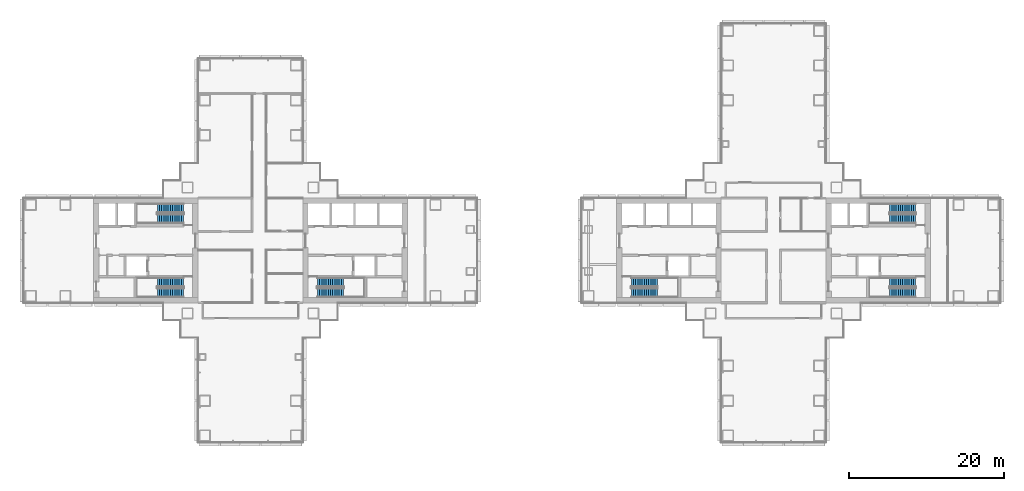
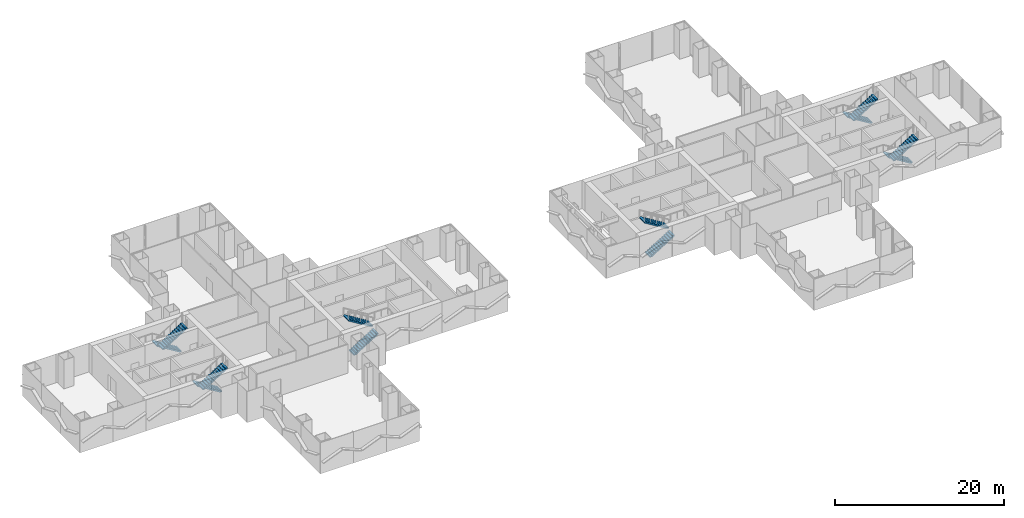
# One storey, part 18 of 22: 12 stair flights, 6 elements without a shape of their own.
"""IFC4 building model written with IfcOpenShell, lengths in metres."""

from ifc_helpers import new_model, si_unit, direction, frame, origin, place, context, subcontext, project, spatial, polyline, outline, extrude, material, type_object, element, aggregate, save


model = new_model("IFC4")

# Units and contexts
model_context = context("Model", 3, precision=1e-05, world=origin(), true_north=direction((0.0, 1.0)))
body_context = subcontext(model_context, "Body", "Model", "MODEL_VIEW")
ifc_project = project(units=[si_unit("LENGTHUNIT", "METRE"), si_unit("AREAUNIT", "SQUARE_METRE"), si_unit("VOLUMEUNIT", "CUBIC_METRE"), si_unit("PLANEANGLEUNIT", "RADIAN"), si_unit("MASSUNIT", "GRAM", prefix="KILO")], contexts=[model_context])

# Site, building, storey
site_placement = place(None, origin())
site = spatial("IfcSite", under=ifc_project, at=site_placement, CompositionType="ELEMENT")
building_placement = place(site_placement, origin())
building = spatial("IfcBuilding", under=site, at=building_placement, Name="Shamsa Quay Exchange Towers", CompositionType="ELEMENT")
storey_placement = place(building_placement, frame((0.0, 0.0, 33.0)))
storey = spatial("IfcBuildingStorey", under=building, at=storey_placement, Name="L06", CompositionType="ELEMENT", Elevation=33.0)

# Stair, stair flights
ifc_material = material(Name="Concrete C40/50", Category="concrete")
stair_type = type_object("IfcStairType", Name="EXIT STAIR 26 RISERS 173 MM", PredefinedType="HALF_TURN_STAIR", material=ifc_material)
stair_1_placement = place(storey_placement, origin())
stair_1 = element("IfcStair", 1, at=stair_1_placement, inside=storey, type_object=stair_type, Name="L06 Exit stair ST1", PredefinedType="HALF_TURN_STAIR")
stair_flight_type = type_object("IfcStairFlightType", Name="EXIT STAIR FLIGHT 13 RISERS 173 MM", PredefinedType="STRAIGHT", material=ifc_material)
stair_flight_1_placement = place(storey_placement, frame((-25.10009765625, -5.449951171875, 0.0)))
stair_flight_1 = element("IfcStairFlight", 2, at=stair_flight_1_placement, type_object=stair_flight_type, Name="ST1 flight 1", NumberOfRisers=13, NumberOfTreads=12, PredefinedType="STRAIGHT", RiserHeight=0.173076923, TreadLength=0.28, context=body_context, shape_type="SweptSolid", body=[
    extrude(outline(polyline([(0.0, 0.0), (0.0, 0.173095703125), (0.280029296875, 0.173095703125), (0.280029296875, 0.34619140625), (0.56005859375, 0.34619140625), (0.56005859375, 0.519287109375), (0.840087890625, 0.519287109375), (0.840087890625, 0.6923828125), (1.1201171875, 0.6923828125), (1.1201171875, 0.865478515625), (1.39990234375, 0.865478515625), (1.39990234375, 1.03857421875), (1.679931640625, 1.03857421875), (1.679931640625, 1.21142578125), (1.9599609375, 1.21142578125), (1.9599609375, 1.384521484375), (2.239990234375, 1.384521484375), (2.239990234375, 1.5576171875), (2.52001953125, 1.5576171875), (2.52001953125, 1.730712890625), (2.800048828125, 1.730712890625), (2.800048828125, 1.90380859375), (3.080078125, 1.90380859375), (3.080078125, 2.076904296875), (3.360107421875, 2.076904296875), (3.360107421875, 2.25), (3.360107421875, 1.912353515625), (0.26611328125, 0.0), (0.0, 0.0)])), frame((0.0, 0.60009765625, 0.0), z_axis=(0.0, -1.0, 0.0), x_axis=(1.0, 0.0, 0.0)), (0.0, 0.0, 1.0), 1.199951171875),
])
stair_flight_2_placement = place(storey_placement, frame((-21.739990234375, -4.10009765625, 2.25), z_axis=(0.0, 0.0, 1.0), x_axis=(-1.0, 0.0, 0.0)))
stair_flight_2 = element("IfcStairFlight", 3, at=stair_flight_2_placement, type_object=stair_flight_type, Name="ST1 flight 2", NumberOfRisers=13, NumberOfTreads=12, PredefinedType="STRAIGHT", RiserHeight=0.173076923, TreadLength=0.28, context=body_context, shape_type="SweptSolid", body=[
    extrude(outline(polyline([(0.0, 0.0), (0.0, 0.173095703125), (0.280029296875, 0.173095703125), (0.280029296875, 0.34619140625), (0.56005859375, 0.34619140625), (0.56005859375, 0.519287109375), (0.840087890625, 0.519287109375), (0.840087890625, 0.6923828125), (1.1201171875, 0.6923828125), (1.1201171875, 0.865478515625), (1.39990234375, 0.865478515625), (1.39990234375, 1.03857421875), (1.679931640625, 1.03857421875), (1.679931640625, 1.21142578125), (1.9599609375, 1.21142578125), (1.9599609375, 1.384521484375), (2.239990234375, 1.384521484375), (2.239990234375, 1.5576171875), (2.52001953125, 1.5576171875), (2.52001953125, 1.730712890625), (2.800048828125, 1.730712890625), (2.800048828125, 1.90380859375), (3.080078125, 1.90380859375), (3.080078125, 2.076904296875), (3.360107421875, 2.076904296875), (3.360107421875, 2.25), (3.360107421875, 1.912353515625), (0.26611328125, 0.0), (0.0, 0.0)])), frame((0.0, 0.60009765625, 0.0), z_axis=(0.0, -1.0, 0.0), x_axis=(1.0, 0.0, 0.0)), (0.0, 0.0, 1.0), 1.199951171875),
])
aggregate(stair_1, [stair_flight_1, stair_flight_2])

stair_2_placement = place(storey_placement, origin())
stair_2 = element("IfcStair", 4, at=stair_2_placement, inside=storey, type_object=stair_type, Name="L06 Exit stair ST2", PredefinedType="HALF_TURN_STAIR")
stair_flight_3_placement = place(storey_placement, frame((-42.39990234375, -4.10009765625, 0.0), z_axis=(0.0, 0.0, 1.0), x_axis=(-1.0, 0.0, 0.0)))
stair_flight_3 = element("IfcStairFlight", 5, at=stair_flight_3_placement, type_object=stair_flight_type, Name="ST2 flight 1", NumberOfRisers=13, NumberOfTreads=12, PredefinedType="STRAIGHT", RiserHeight=0.173076923, TreadLength=0.28, context=body_context, shape_type="SweptSolid", body=[
    extrude(outline(polyline([(0.0, 0.0), (0.0, 0.173095703125), (0.280029296875, 0.173095703125), (0.280029296875, 0.34619140625), (0.56005859375, 0.34619140625), (0.56005859375, 0.519287109375), (0.840087890625, 0.519287109375), (0.840087890625, 0.6923828125), (1.1201171875, 0.6923828125), (1.1201171875, 0.865478515625), (1.39990234375, 0.865478515625), (1.39990234375, 1.03857421875), (1.679931640625, 1.03857421875), (1.679931640625, 1.21142578125), (1.9599609375, 1.21142578125), (1.9599609375, 1.384521484375), (2.239990234375, 1.384521484375), (2.239990234375, 1.5576171875), (2.52001953125, 1.5576171875), (2.52001953125, 1.730712890625), (2.800048828125, 1.730712890625), (2.800048828125, 1.90380859375), (3.080078125, 1.90380859375), (3.080078125, 2.076904296875), (3.360107421875, 2.076904296875), (3.360107421875, 2.25), (3.360107421875, 1.912353515625), (0.26611328125, 0.0), (0.0, 0.0)])), frame((0.0, 0.60009765625, 0.0), z_axis=(0.0, -1.0, 0.0), x_axis=(1.0, 0.0, 0.0)), (0.0, 0.0, 1.0), 1.199951171875),
])
stair_flight_4_placement = place(storey_placement, frame((-45.760009765625, -5.449951171875, 2.25)))
stair_flight_4 = element("IfcStairFlight", 6, at=stair_flight_4_placement, type_object=stair_flight_type, Name="ST2 flight 2", NumberOfRisers=13, NumberOfTreads=12, PredefinedType="STRAIGHT", RiserHeight=0.173076923, TreadLength=0.28, context=body_context, shape_type="SweptSolid", body=[
    extrude(outline(polyline([(0.0, 0.0), (0.0, 0.173095703125), (0.280029296875, 0.173095703125), (0.280029296875, 0.34619140625), (0.56005859375, 0.34619140625), (0.56005859375, 0.519287109375), (0.840087890625, 0.519287109375), (0.840087890625, 0.6923828125), (1.1201171875, 0.6923828125), (1.1201171875, 0.865478515625), (1.39990234375, 0.865478515625), (1.39990234375, 1.03857421875), (1.679931640625, 1.03857421875), (1.679931640625, 1.21142578125), (1.9599609375, 1.21142578125), (1.9599609375, 1.384521484375), (2.239990234375, 1.384521484375), (2.239990234375, 1.5576171875), (2.52001953125, 1.5576171875), (2.52001953125, 1.730712890625), (2.800048828125, 1.730712890625), (2.800048828125, 1.90380859375), (3.080078125, 1.90380859375), (3.080078125, 2.076904296875), (3.360107421875, 2.076904296875), (3.360107421875, 2.25), (3.360107421875, 1.912353515625), (0.26611328125, 0.0), (0.0, 0.0)])), frame((0.0, 0.60009765625, 0.0), z_axis=(0.0, -1.0, 0.0), x_axis=(1.0, 0.0, 0.0)), (0.0, 0.0, 1.0), 1.199951171875),
])
aggregate(stair_2, [stair_flight_3, stair_flight_4])

stair_3_placement = place(storey_placement, origin())
stair_3 = element("IfcStair", 7, at=stair_3_placement, inside=storey, type_object=stair_type, Name="L06 Exit stair ST3", PredefinedType="HALF_TURN_STAIR")
stair_flight_5_placement = place(storey_placement, frame((-42.39990234375, 5.449951171875, 0.0), z_axis=(0.0, 0.0, 1.0), x_axis=(-1.0, 0.0, 0.0)))
stair_flight_5 = element("IfcStairFlight", 8, at=stair_flight_5_placement, type_object=stair_flight_type, Name="ST3 flight 1", NumberOfRisers=13, NumberOfTreads=12, PredefinedType="STRAIGHT", RiserHeight=0.173076923, TreadLength=0.28, context=body_context, shape_type="SweptSolid", body=[
    extrude(outline(polyline([(0.0, 0.0), (0.0, 0.173095703125), (0.280029296875, 0.173095703125), (0.280029296875, 0.34619140625), (0.56005859375, 0.34619140625), (0.56005859375, 0.519287109375), (0.840087890625, 0.519287109375), (0.840087890625, 0.6923828125), (1.1201171875, 0.6923828125), (1.1201171875, 0.865478515625), (1.39990234375, 0.865478515625), (1.39990234375, 1.03857421875), (1.679931640625, 1.03857421875), (1.679931640625, 1.21142578125), (1.9599609375, 1.21142578125), (1.9599609375, 1.384521484375), (2.239990234375, 1.384521484375), (2.239990234375, 1.5576171875), (2.52001953125, 1.5576171875), (2.52001953125, 1.730712890625), (2.800048828125, 1.730712890625), (2.800048828125, 1.90380859375), (3.080078125, 1.90380859375), (3.080078125, 2.076904296875), (3.360107421875, 2.076904296875), (3.360107421875, 2.25), (3.360107421875, 1.912353515625), (0.26611328125, 0.0), (0.0, 0.0)])), frame((0.0, 0.60009765625, 0.0), z_axis=(0.0, -1.0, 0.0), x_axis=(1.0, 0.0, 0.0)), (0.0, 0.0, 1.0), 1.199951171875),
])
stair_flight_6_placement = place(storey_placement, frame((-45.760009765625, 4.10009765625, 2.25)))
stair_flight_6 = element("IfcStairFlight", 9, at=stair_flight_6_placement, type_object=stair_flight_type, Name="ST3 flight 2", NumberOfRisers=13, NumberOfTreads=12, PredefinedType="STRAIGHT", RiserHeight=0.173076923, TreadLength=0.28, context=body_context, shape_type="SweptSolid", body=[
    extrude(outline(polyline([(0.0, 0.0), (0.0, 0.173095703125), (0.280029296875, 0.173095703125), (0.280029296875, 0.34619140625), (0.56005859375, 0.34619140625), (0.56005859375, 0.519287109375), (0.840087890625, 0.519287109375), (0.840087890625, 0.6923828125), (1.1201171875, 0.6923828125), (1.1201171875, 0.865478515625), (1.39990234375, 0.865478515625), (1.39990234375, 1.03857421875), (1.679931640625, 1.03857421875), (1.679931640625, 1.21142578125), (1.9599609375, 1.21142578125), (1.9599609375, 1.384521484375), (2.239990234375, 1.384521484375), (2.239990234375, 1.5576171875), (2.52001953125, 1.5576171875), (2.52001953125, 1.730712890625), (2.800048828125, 1.730712890625), (2.800048828125, 1.90380859375), (3.080078125, 1.90380859375), (3.080078125, 2.076904296875), (3.360107421875, 2.076904296875), (3.360107421875, 2.25), (3.360107421875, 1.912353515625), (0.26611328125, 0.0), (0.0, 0.0)])), frame((0.0, 0.60009765625, 0.0), z_axis=(0.0, -1.0, 0.0), x_axis=(1.0, 0.0, 0.0)), (0.0, 0.0, 1.0), 1.199951171875),
])
aggregate(stair_3, [stair_flight_5, stair_flight_6])

stair_4_placement = place(storey_placement, origin())
stair_4 = element("IfcStair", 10, at=stair_4_placement, inside=storey, type_object=stair_type, Name="L06 Exit stair ST4", PredefinedType="HALF_TURN_STAIR")
stair_flight_7_placement = place(storey_placement, frame((15.39990234375, -5.449951171875, 0.0)))
stair_flight_7 = element("IfcStairFlight", 11, at=stair_flight_7_placement, type_object=stair_flight_type, Name="ST4 flight 1", NumberOfRisers=13, NumberOfTreads=12, PredefinedType="STRAIGHT", RiserHeight=0.173076923, TreadLength=0.28, context=body_context, shape_type="SweptSolid", body=[
    extrude(outline(polyline([(0.0, 0.0), (0.0, 0.173095703125), (0.280029296875, 0.173095703125), (0.280029296875, 0.34619140625), (0.56005859375, 0.34619140625), (0.56005859375, 0.519287109375), (0.840087890625, 0.519287109375), (0.840087890625, 0.6923828125), (1.1201171875, 0.6923828125), (1.1201171875, 0.865478515625), (1.39990234375, 0.865478515625), (1.39990234375, 1.03857421875), (1.679931640625, 1.03857421875), (1.679931640625, 1.21142578125), (1.9599609375, 1.21142578125), (1.9599609375, 1.384521484375), (2.239990234375, 1.384521484375), (2.239990234375, 1.5576171875), (2.52001953125, 1.5576171875), (2.52001953125, 1.730712890625), (2.800048828125, 1.730712890625), (2.800048828125, 1.90380859375), (3.080078125, 1.90380859375), (3.080078125, 2.076904296875), (3.360107421875, 2.076904296875), (3.360107421875, 2.25), (3.360107421875, 1.912353515625), (0.26611328125, 0.0), (0.0, 0.0)])), frame((0.0, 0.60009765625, 0.0), z_axis=(0.0, -1.0, 0.0), x_axis=(1.0, 0.0, 0.0)), (0.0, 0.0, 1.0), 1.199951171875),
])
stair_flight_8_placement = place(storey_placement, frame((18.760009765625, -4.10009765625, 2.25), z_axis=(0.0, 0.0, 1.0), x_axis=(-1.0, 0.0, 0.0)))
stair_flight_8 = element("IfcStairFlight", 12, at=stair_flight_8_placement, type_object=stair_flight_type, Name="ST4 flight 2", NumberOfRisers=13, NumberOfTreads=12, PredefinedType="STRAIGHT", RiserHeight=0.173076923, TreadLength=0.28, context=body_context, shape_type="SweptSolid", body=[
    extrude(outline(polyline([(0.0, 0.0), (0.0, 0.173095703125), (0.280029296875, 0.173095703125), (0.280029296875, 0.34619140625), (0.56005859375, 0.34619140625), (0.56005859375, 0.519287109375), (0.840087890625, 0.519287109375), (0.840087890625, 0.6923828125), (1.1201171875, 0.6923828125), (1.1201171875, 0.865478515625), (1.39990234375, 0.865478515625), (1.39990234375, 1.03857421875), (1.679931640625, 1.03857421875), (1.679931640625, 1.21142578125), (1.9599609375, 1.21142578125), (1.9599609375, 1.384521484375), (2.239990234375, 1.384521484375), (2.239990234375, 1.5576171875), (2.52001953125, 1.5576171875), (2.52001953125, 1.730712890625), (2.800048828125, 1.730712890625), (2.800048828125, 1.90380859375), (3.080078125, 1.90380859375), (3.080078125, 2.076904296875), (3.360107421875, 2.076904296875), (3.360107421875, 2.25), (3.360107421875, 1.912353515625), (0.26611328125, 0.0), (0.0, 0.0)])), frame((0.0, 0.60009765625, 0.0), z_axis=(0.0, -1.0, 0.0), x_axis=(1.0, 0.0, 0.0)), (0.0, 0.0, 1.0), 1.199951171875),
])
aggregate(stair_4, [stair_flight_7, stair_flight_8])

stair_5_placement = place(storey_placement, origin())
stair_5 = element("IfcStair", 13, at=stair_5_placement, inside=storey, type_object=stair_type, Name="L06 Exit stair ST5", PredefinedType="HALF_TURN_STAIR")
stair_flight_9_placement = place(storey_placement, frame((52.10009765625, -4.10009765625, 0.0), z_axis=(0.0, 0.0, 1.0), x_axis=(-1.0, 0.0, 0.0)))
stair_flight_9 = element("IfcStairFlight", 14, at=stair_flight_9_placement, type_object=stair_flight_type, Name="ST5 flight 1", NumberOfRisers=13, NumberOfTreads=12, PredefinedType="STRAIGHT", RiserHeight=0.173076923, TreadLength=0.28, context=body_context, shape_type="SweptSolid", body=[
    extrude(outline(polyline([(0.0, 0.0), (0.0, 0.173095703125), (0.280029296875, 0.173095703125), (0.280029296875, 0.34619140625), (0.56005859375, 0.34619140625), (0.56005859375, 0.519287109375), (0.840087890625, 0.519287109375), (0.840087890625, 0.6923828125), (1.1201171875, 0.6923828125), (1.1201171875, 0.865478515625), (1.39990234375, 0.865478515625), (1.39990234375, 1.03857421875), (1.679931640625, 1.03857421875), (1.679931640625, 1.21142578125), (1.9599609375, 1.21142578125), (1.9599609375, 1.384521484375), (2.239990234375, 1.384521484375), (2.239990234375, 1.5576171875), (2.52001953125, 1.5576171875), (2.52001953125, 1.730712890625), (2.800048828125, 1.730712890625), (2.800048828125, 1.90380859375), (3.080078125, 1.90380859375), (3.080078125, 2.076904296875), (3.360107421875, 2.076904296875), (3.360107421875, 2.25), (3.360107421875, 1.912353515625), (0.26611328125, 0.0), (0.0, 0.0)])), frame((0.0, 0.60009765625, 0.0), z_axis=(0.0, -1.0, 0.0), x_axis=(1.0, 0.0, 0.0)), (0.0, 0.0, 1.0), 1.199951171875),
])
stair_flight_10_placement = place(storey_placement, frame((48.739990234375, -5.449951171875, 2.25)))
stair_flight_10 = element("IfcStairFlight", 15, at=stair_flight_10_placement, type_object=stair_flight_type, Name="ST5 flight 2", NumberOfRisers=13, NumberOfTreads=12, PredefinedType="STRAIGHT", RiserHeight=0.173076923, TreadLength=0.28, context=body_context, shape_type="SweptSolid", body=[
    extrude(outline(polyline([(0.0, 0.0), (0.0, 0.173095703125), (0.280029296875, 0.173095703125), (0.280029296875, 0.34619140625), (0.56005859375, 0.34619140625), (0.56005859375, 0.519287109375), (0.840087890625, 0.519287109375), (0.840087890625, 0.6923828125), (1.1201171875, 0.6923828125), (1.1201171875, 0.865478515625), (1.39990234375, 0.865478515625), (1.39990234375, 1.03857421875), (1.679931640625, 1.03857421875), (1.679931640625, 1.21142578125), (1.9599609375, 1.21142578125), (1.9599609375, 1.384521484375), (2.239990234375, 1.384521484375), (2.239990234375, 1.5576171875), (2.52001953125, 1.5576171875), (2.52001953125, 1.730712890625), (2.800048828125, 1.730712890625), (2.800048828125, 1.90380859375), (3.080078125, 1.90380859375), (3.080078125, 2.076904296875), (3.360107421875, 2.076904296875), (3.360107421875, 2.25), (3.360107421875, 1.912353515625), (0.26611328125, 0.0), (0.0, 0.0)])), frame((0.0, 0.60009765625, 0.0), z_axis=(0.0, -1.0, 0.0), x_axis=(1.0, 0.0, 0.0)), (0.0, 0.0, 1.0), 1.199951171875),
])
aggregate(stair_5, [stair_flight_9, stair_flight_10])

stair_6_placement = place(storey_placement, origin())
stair_6 = element("IfcStair", 16, at=stair_6_placement, inside=storey, type_object=stair_type, Name="L06 Exit stair ST6", PredefinedType="HALF_TURN_STAIR")
stair_flight_11_placement = place(storey_placement, frame((52.10009765625, 5.449951171875, 0.0), z_axis=(0.0, 0.0, 1.0), x_axis=(-1.0, 0.0, 0.0)))
stair_flight_11 = element("IfcStairFlight", 17, at=stair_flight_11_placement, type_object=stair_flight_type, Name="ST6 flight 1", NumberOfRisers=13, NumberOfTreads=12, PredefinedType="STRAIGHT", RiserHeight=0.173076923, TreadLength=0.28, context=body_context, shape_type="SweptSolid", body=[
    extrude(outline(polyline([(0.0, 0.0), (0.0, 0.173095703125), (0.280029296875, 0.173095703125), (0.280029296875, 0.34619140625), (0.56005859375, 0.34619140625), (0.56005859375, 0.519287109375), (0.840087890625, 0.519287109375), (0.840087890625, 0.6923828125), (1.1201171875, 0.6923828125), (1.1201171875, 0.865478515625), (1.39990234375, 0.865478515625), (1.39990234375, 1.03857421875), (1.679931640625, 1.03857421875), (1.679931640625, 1.21142578125), (1.9599609375, 1.21142578125), (1.9599609375, 1.384521484375), (2.239990234375, 1.384521484375), (2.239990234375, 1.5576171875), (2.52001953125, 1.5576171875), (2.52001953125, 1.730712890625), (2.800048828125, 1.730712890625), (2.800048828125, 1.90380859375), (3.080078125, 1.90380859375), (3.080078125, 2.076904296875), (3.360107421875, 2.076904296875), (3.360107421875, 2.25), (3.360107421875, 1.912353515625), (0.26611328125, 0.0), (0.0, 0.0)])), frame((0.0, 0.60009765625, 0.0), z_axis=(0.0, -1.0, 0.0), x_axis=(1.0, 0.0, 0.0)), (0.0, 0.0, 1.0), 1.199951171875),
])
stair_flight_12_placement = place(storey_placement, frame((48.739990234375, 4.10009765625, 2.25)))
stair_flight_12 = element("IfcStairFlight", 18, at=stair_flight_12_placement, type_object=stair_flight_type, Name="ST6 flight 2", NumberOfRisers=13, NumberOfTreads=12, PredefinedType="STRAIGHT", RiserHeight=0.173076923, TreadLength=0.28, context=body_context, shape_type="SweptSolid", body=[
    extrude(outline(polyline([(0.0, 0.0), (0.0, 0.173095703125), (0.280029296875, 0.173095703125), (0.280029296875, 0.34619140625), (0.56005859375, 0.34619140625), (0.56005859375, 0.519287109375), (0.840087890625, 0.519287109375), (0.840087890625, 0.6923828125), (1.1201171875, 0.6923828125), (1.1201171875, 0.865478515625), (1.39990234375, 0.865478515625), (1.39990234375, 1.03857421875), (1.679931640625, 1.03857421875), (1.679931640625, 1.21142578125), (1.9599609375, 1.21142578125), (1.9599609375, 1.384521484375), (2.239990234375, 1.384521484375), (2.239990234375, 1.5576171875), (2.52001953125, 1.5576171875), (2.52001953125, 1.730712890625), (2.800048828125, 1.730712890625), (2.800048828125, 1.90380859375), (3.080078125, 1.90380859375), (3.080078125, 2.076904296875), (3.360107421875, 2.076904296875), (3.360107421875, 2.25), (3.360107421875, 1.912353515625), (0.26611328125, 0.0), (0.0, 0.0)])), frame((0.0, 0.60009765625, 0.0), z_axis=(0.0, -1.0, 0.0), x_axis=(1.0, 0.0, 0.0)), (0.0, 0.0, 1.0), 1.199951171875),
])
aggregate(stair_6, [stair_flight_11, stair_flight_12])

save(model, "model.ifc")
